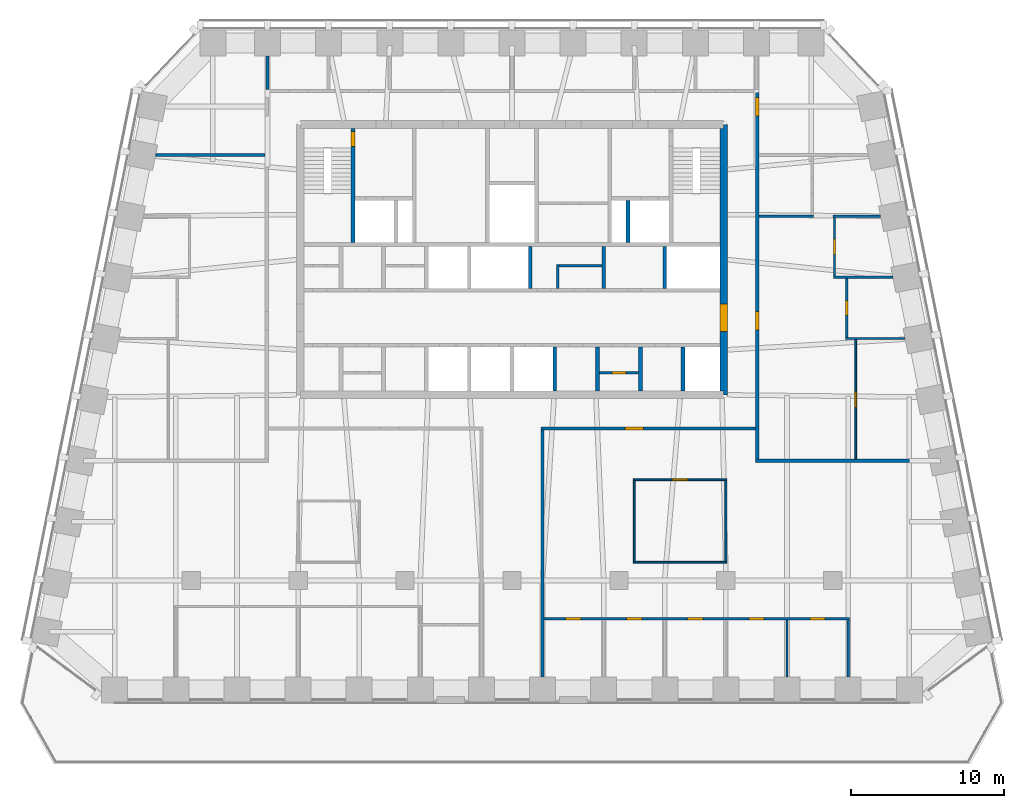
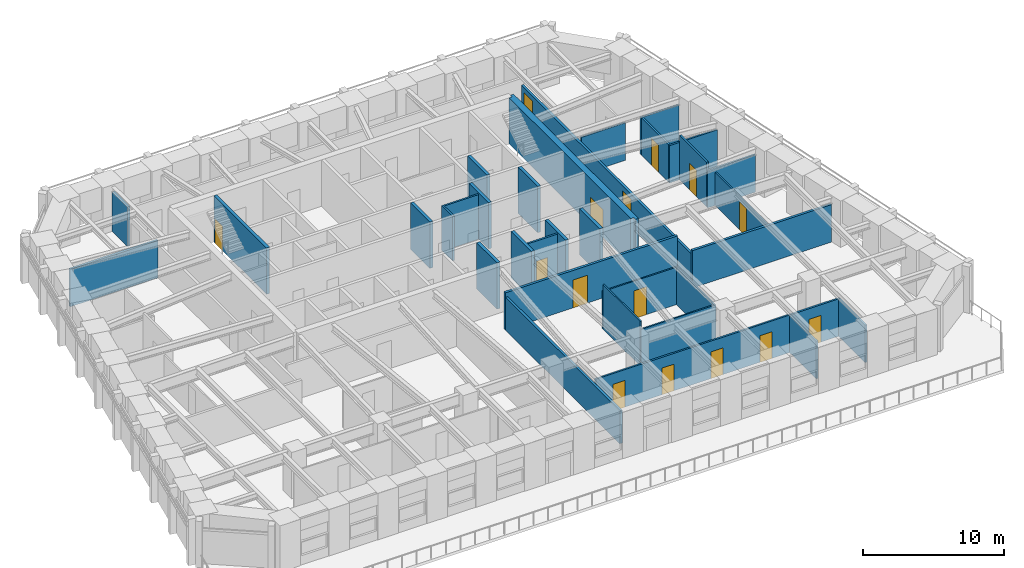
# One storey, part 7 of 10: 33 walls, 15 doors, 15 openings.
"""IFC4 building model written with IfcOpenShell, lengths in metres."""

from ifc_helpers import new_model, si_unit, direction, frame, frame_2d, origin, place, context, subcontext, project, spatial, polyline, rectangle, outline, extrude, material, layer, layer_set, type_object, element, fill, save


model = new_model("IFC4")

# Units and contexts
model_context = context("Model", 3, precision=1e-05, world=origin(), true_north=direction((0.0, 1.0)))
body_context = subcontext(model_context, "Body", "Model", "MODEL_VIEW")
ifc_project = project(units=[si_unit("LENGTHUNIT", "METRE"), si_unit("AREAUNIT", "SQUARE_METRE"), si_unit("VOLUMEUNIT", "CUBIC_METRE"), si_unit("PLANEANGLEUNIT", "RADIAN"), si_unit("MASSUNIT", "GRAM", prefix="KILO")], contexts=[model_context])

# Site, building, storey
site_placement = place(None, origin())
site = spatial("IfcSite", under=ifc_project, at=site_placement, CompositionType="ELEMENT")
building_placement = place(site_placement, origin())
building = spatial("IfcBuilding", under=site, at=building_placement, Name="Isbrekke Arena Tower", CompositionType="ELEMENT")
storey_placement = place(building_placement, frame((0.0, 0.0, 260.0)))
storey = spatial("IfcBuildingStorey", under=building, at=storey_placement, Name="L60", CompositionType="ELEMENT", Elevation=260.0)

# Wall, opening, door
ifc_material_1 = material(Name="Concrete B55 (C55/67)", Category="concrete")
ifc_layer_1 = layer(ifc_material_1, 0.5)
ifc_layer_set_1 = layer_set([ifc_layer_1], Name="CW5 CORE WALL 500")
wall_type_1 = type_object("IfcWallType", Name="CW5 CORE WALL 500", PredefinedType="SHEAR", material=ifc_layer_set_1)
wall_1_placement = place(storey_placement, frame((13.85009765625, 6.14990234375, 0.0), z_axis=(0.0, 0.0, 1.0), x_axis=(0.0, 1.0, 0.0)))
wall_1 = element("IfcWall", 1, at=wall_1_placement, inside=storey, type_object=wall_type_1, Name="Core wall E L60", PredefinedType="SHEAR", context=body_context, shape_type="SweptSolid", body=[
    extrude(outline(polyline([(0.0, -0.25), (17.7001953125, -0.25), (17.7001953125, 0.0), (17.4501953125, 0.0), (17.4501953125, 0.25), (0.25, 0.25), (0.25, 0.0), (0.0, 0.0), (0.0, -0.25)])), origin(), (0.0, 0.0, 1.0), 4.0),
])
opening_1_placement = place(wall_1_placement, frame((4.14990234375, 0.0, 0.0)))
opening_1 = element("IfcOpeningElement", 2, at=opening_1_placement, cuts=wall_1, Name="Opening D1", PredefinedType="OPENING", context=body_context, shape_type="SweptSolid", body=[
    extrude(rectangle(XDim=1.800048828125, YDim=2.39990234375, at=frame_2d((0.89990234375, 1.199951171875))), frame((0.0, 0.264892578125, 0.0), z_axis=(0.0, -1.0, 0.0), x_axis=(1.0, 0.0, 0.0)), (0.0, 0.0, 1.0), 0.52978515625),
])
ifc_material_2 = material(Name="Steel-framed glazed fire door", Category="steel")
door_type_1 = type_object("IfcDoorType", Name="D1 CORE LOBBY DOOR 1800 x 2400", OperationType="DOUBLE_DOOR_SINGLE_SWING", PredefinedType="DOOR", material=ifc_material_2)
door_1_placement = place(opening_1_placement, origin())
door_1 = element("IfcDoor", 3, at=door_1_placement, inside=storey, type_object=door_type_1, Name="D1 lift lobby door east L60", OperationType="DOUBLE_DOOR_SINGLE_SWING", OverallHeight=2.39990234375, OverallWidth=1.800048828125, PredefinedType="DOOR", context=body_context, shape_type="SweptSolid", body=[
    extrude(rectangle(XDim=1.800048828125, YDim=2.39990234375, at=frame_2d((0.89990234375, 1.199951171875))), frame((0.0, 0.249755859375, 0.0), z_axis=(0.0, -1.0, 0.0), x_axis=(1.0, 0.0, 0.0)), (0.0, 0.0, 1.0), 0.49951171875),
])
fill(opening_1, door_1)

# Walls
ifc_material_3 = material(Name="Concrete B45 (C45/55)", Category="concrete")
ifc_layer_2 = layer(ifc_material_3, 0.25)
ifc_layer_set_2 = layer_set([ifc_layer_2], Name="CW6 SHAFT WALL 250")
wall_type_2 = type_object("IfcWallType", Name="CW6 SHAFT WALL 250", PredefinedType="SHEAR", material=ifc_layer_set_2)
for number, where, z_axis, x_axis, name in (
    (4, (2.800048828125, 6.39990234375, 0.0), (0.0, 0.0, 1.0), (0.0, 1.0, 0.0), "Core wall SS06 L60"),
    (5, (5.60009765625, 6.39990234375, 0.0), (0.0, 0.0, 1.0), (0.0, 1.0, 0.0), "Core wall SS07 L60"),
    (6, (8.39990234375, 6.39990234375, 0.0), (0.0, 0.0, 1.0), (0.0, 1.0, 0.0), "Core wall SS08 L60"),
    (7, (11.199951171875, 6.39990234375, 0.0), (0.0, 0.0, 1.0), (0.0, 1.0, 0.0), "Core wall SS09 L60"),
):
    element("IfcWall", number, at=place(storey_placement, frame(where, z_axis=z_axis, x_axis=x_axis)), inside=storey, type_object=wall_type_2, Name=name, PredefinedType="SHEAR", context=body_context, shape_type="SweptSolid", body=[
        extrude(rectangle(XDim=2.875, YDim=0.25, at=frame_2d((1.4375, 0.0))), origin(), (0.0, 0.0, 1.0), 4.0),
    ])
for number, where, z_axis, x_axis, name in (
    (8, (1.199951171875, 13.125, 0.0), (0.0, 0.0, 1.0), (0.0, 1.0, 0.0), "Core wall SN05 L60"),
    (9, (6.0, 13.125, 0.0), (0.0, 0.0, 1.0), (0.0, 1.0, 0.0), "Core wall SN06 L60"),
    (10, (10.0, 13.125, 0.0), (0.0, 0.0, 1.0), (0.0, 1.0, 0.0), "Core wall SN07 L60"),
):
    element("IfcWall", number, at=place(storey_placement, frame(where, z_axis=z_axis, x_axis=x_axis)), inside=storey, type_object=wall_type_2, Name=name, PredefinedType="SHEAR", context=body_context, shape_type="SweptSolid", body=[
        extrude(rectangle(XDim=2.75, YDim=0.25, at=frame_2d((1.375, 0.0))), origin(), (0.0, 0.0, 1.0), 4.0),
    ])

# Wall, opening, door
wall_2_placement = place(storey_placement, frame((-10.39990234375, 16.125, 0.0), z_axis=(0.0, 0.0, 1.0), x_axis=(0.0, 1.0, 0.0)))
wall_2 = element("IfcWall", 11, at=wall_2_placement, inside=storey, type_object=wall_type_2, Name="Core wall NV01 L60", PredefinedType="SHEAR", context=body_context, shape_type="SweptSolid", body=[
    extrude(rectangle(XDim=7.47509765625, YDim=0.25, at=frame_2d((3.737548828125, 0.0))), origin(), (0.0, 0.0, 1.0), 4.0),
])
opening_2_placement = place(wall_2_placement, frame((6.27490234375, 0.0, 0.0)))
opening_2 = element("IfcOpeningElement", 12, at=opening_2_placement, cuts=wall_2, Name="Opening D2", PredefinedType="OPENING", context=body_context, shape_type="SweptSolid", body=[
    extrude(rectangle(XDim=1.0, YDim=2.10009765625, at=frame_2d((0.5, 1.050048828125))), frame((0.0, 0.139892578125, 0.0), z_axis=(0.0, -1.0, 0.0), x_axis=(1.0, 0.0, 0.0)), (0.0, 0.0, 1.0), 0.27978515625),
])
ifc_material_4 = material(Name="Steel fire door", Category="steel")
door_type_2 = type_object("IfcDoorType", Name="D2 STAIR DOOR 1000 x 2100", OperationType="SINGLE_SWING_LEFT", PredefinedType="DOOR", material=ifc_material_4)
door_2_placement = place(opening_2_placement, origin())
door_2 = element("IfcDoor", 13, at=door_2_placement, inside=storey, type_object=door_type_2, Name="D2 stair door ST1 L60", OperationType="SINGLE_SWING_LEFT", OverallHeight=2.10009765625, OverallWidth=1.0, PredefinedType="DOOR", context=body_context, shape_type="SweptSolid", body=[
    extrude(rectangle(XDim=1.0, YDim=2.10009765625, at=frame_2d((0.5, 1.050048828125))), frame((0.0, 0.124755859375, 0.0), z_axis=(0.0, -1.0, 0.0), x_axis=(1.0, 0.0, 0.0)), (0.0, 0.0, 1.0), 0.24951171875),
])
fill(opening_2, door_2)

# Wall
wall_3_placement = place(storey_placement, frame((7.60009765625, 16.125, 0.0), z_axis=(0.0, 0.0, 1.0), x_axis=(0.0, 1.0, 0.0)))
element("IfcWall", 14, at=wall_3_placement, inside=storey, type_object=wall_type_2, Name="Core wall NFS2 L60", PredefinedType="SHEAR", context=body_context, shape_type="SweptSolid", body=[
    extrude(rectangle(XDim=2.75, YDim=0.25, at=frame_2d((1.375, 0.0))), origin(), (0.0, 0.0, 1.0), 4.0),
])

# Wall, openings, doors
ifc_material_5 = material(Name="Gypsum board partition on steel studs", Category="steel")
ifc_layer_3 = layer(ifc_material_5, 0.14990234375)
ifc_layer_set_3 = layer_set([ifc_layer_3], Name="IW1 PARTITION 150")
wall_type_3 = type_object("IfcWallType", Name="IW1 PARTITION 150", PredefinedType="PARTITIONING", material=ifc_layer_set_3)
wall_4_placement = place(storey_placement, frame((2.10009765625, -8.5, 0.0), z_axis=(0.0, 0.0, 1.0), x_axis=(1.0, 0.0, 0.0)))
wall_4 = element("IfcWall", 15, at=wall_4_placement, inside=storey, type_object=wall_type_3, Name="IW1 partition 150 L60", PredefinedType="PARTITIONING", context=body_context, shape_type="SweptSolid", body=[
    extrude(rectangle(XDim=19.974853515625, YDim=0.14990234375, at=frame_2d((9.9873046875, 0.0))), origin(), (0.0, 0.0, 1.0), 3.22998046875),
])
opening_3_placement = place(wall_4_placement, frame((1.39990234375, 0.0, 0.0)))
opening_3 = element("IfcOpeningElement", 16, at=opening_3_placement, cuts=wall_4, Name="Opening D10", PredefinedType="OPENING", context=body_context, shape_type="SweptSolid", body=[
    extrude(rectangle(XDim=1.0, YDim=2.300048828125, at=frame_2d((0.5, 1.14990234375))), frame((0.0, 0.08984375, 0.0), z_axis=(0.0, -1.0, 0.0), x_axis=(1.0, 0.0, 0.0)), (0.0, 0.0, 1.0), 0.1796875),
])
opening_4_placement = place(wall_4_placement, frame((5.39990234375, 0.0, 0.0)))
opening_4 = element("IfcOpeningElement", 17, at=opening_4_placement, cuts=wall_4, Name="Opening D10", PredefinedType="OPENING", context=body_context, shape_type="SweptSolid", body=[
    extrude(rectangle(XDim=1.0, YDim=2.300048828125, at=frame_2d((0.5, 1.14990234375))), frame((0.0, 0.08984375, 0.0), z_axis=(0.0, -1.0, 0.0), x_axis=(1.0, 0.0, 0.0)), (0.0, 0.0, 1.0), 0.1796875),
])
opening_5_placement = place(wall_4_placement, frame((9.39990234375, 0.0, 0.0)))
opening_5 = element("IfcOpeningElement", 18, at=opening_5_placement, cuts=wall_4, Name="Opening D10", PredefinedType="OPENING", context=body_context, shape_type="SweptSolid", body=[
    extrude(rectangle(XDim=1.0, YDim=2.300048828125, at=frame_2d((0.5, 1.14990234375))), frame((0.0, 0.08984375, 0.0), z_axis=(0.0, -1.0, 0.0), x_axis=(1.0, 0.0, 0.0)), (0.0, 0.0, 1.0), 0.1796875),
])
opening_6_placement = place(wall_4_placement, frame((13.39990234375, 0.0, 0.0)))
opening_6 = element("IfcOpeningElement", 19, at=opening_6_placement, cuts=wall_4, Name="Opening D10", PredefinedType="OPENING", context=body_context, shape_type="SweptSolid", body=[
    extrude(rectangle(XDim=1.0, YDim=2.300048828125, at=frame_2d((0.5, 1.14990234375))), frame((0.0, 0.08984375, 0.0), z_axis=(0.0, -1.0, 0.0), x_axis=(1.0, 0.0, 0.0)), (0.0, 0.0, 1.0), 0.1796875),
])
opening_7_placement = place(wall_4_placement, frame((17.39990234375, 0.0, 0.0)))
opening_7 = element("IfcOpeningElement", 20, at=opening_7_placement, cuts=wall_4, Name="Opening D10", PredefinedType="OPENING", context=body_context, shape_type="SweptSolid", body=[
    extrude(rectangle(XDim=1.0, YDim=2.300048828125, at=frame_2d((0.5, 1.14990234375))), frame((0.0, 0.08984375, 0.0), z_axis=(0.0, -1.0, 0.0), x_axis=(1.0, 0.0, 0.0)), (0.0, 0.0, 1.0), 0.1796875),
])
ifc_material_6 = material(Name="Timber door", Category="wood")
door_type_3 = type_object("IfcDoorType", Name="D10 OFFICE DOOR 1000 x 2300", OperationType="SINGLE_SWING_LEFT", PredefinedType="DOOR", material=ifc_material_6)
door_3_placement = place(opening_3_placement, origin())
door_3 = element("IfcDoor", 21, at=door_3_placement, inside=storey, type_object=door_type_3, Name="D10 office door L60", OperationType="SINGLE_SWING_LEFT", OverallHeight=2.300048828125, OverallWidth=1.0, PredefinedType="DOOR", context=body_context, shape_type="SweptSolid", body=[
    extrude(rectangle(XDim=1.0, YDim=2.300048828125, at=frame_2d((0.5, 1.14990234375))), frame((0.0, 0.07470703125, 0.0), z_axis=(0.0, -1.0, 0.0), x_axis=(1.0, 0.0, 0.0)), (0.0, 0.0, 1.0), 0.1494140625),
])
fill(opening_3, door_3)
door_4_placement = place(opening_4_placement, origin())
door_4 = element("IfcDoor", 22, at=door_4_placement, inside=storey, type_object=door_type_3, Name="D10 office door L60", OperationType="SINGLE_SWING_LEFT", OverallHeight=2.300048828125, OverallWidth=1.0, PredefinedType="DOOR", context=body_context, shape_type="SweptSolid", body=[
    extrude(rectangle(XDim=1.0, YDim=2.300048828125, at=frame_2d((0.5, 1.14990234375))), frame((0.0, 0.07470703125, 0.0), z_axis=(0.0, -1.0, 0.0), x_axis=(1.0, 0.0, 0.0)), (0.0, 0.0, 1.0), 0.1494140625),
])
fill(opening_4, door_4)
door_5_placement = place(opening_5_placement, origin())
door_5 = element("IfcDoor", 23, at=door_5_placement, inside=storey, type_object=door_type_3, Name="D10 office door L60", OperationType="SINGLE_SWING_LEFT", OverallHeight=2.300048828125, OverallWidth=1.0, PredefinedType="DOOR", context=body_context, shape_type="SweptSolid", body=[
    extrude(rectangle(XDim=1.0, YDim=2.300048828125, at=frame_2d((0.5, 1.14990234375))), frame((0.0, 0.07470703125, 0.0), z_axis=(0.0, -1.0, 0.0), x_axis=(1.0, 0.0, 0.0)), (0.0, 0.0, 1.0), 0.1494140625),
])
fill(opening_5, door_5)
door_6_placement = place(opening_6_placement, origin())
door_6 = element("IfcDoor", 24, at=door_6_placement, inside=storey, type_object=door_type_3, Name="D10 office door L60", OperationType="SINGLE_SWING_LEFT", OverallHeight=2.300048828125, OverallWidth=1.0, PredefinedType="DOOR", context=body_context, shape_type="SweptSolid", body=[
    extrude(rectangle(XDim=1.0, YDim=2.300048828125, at=frame_2d((0.5, 1.14990234375))), frame((0.0, 0.07470703125, 0.0), z_axis=(0.0, -1.0, 0.0), x_axis=(1.0, 0.0, 0.0)), (0.0, 0.0, 1.0), 0.1494140625),
])
fill(opening_6, door_6)
door_7_placement = place(opening_7_placement, origin())
door_7 = element("IfcDoor", 25, at=door_7_placement, inside=storey, type_object=door_type_3, Name="D10 office door L60", OperationType="SINGLE_SWING_LEFT", OverallHeight=2.300048828125, OverallWidth=1.0, PredefinedType="DOOR", context=body_context, shape_type="SweptSolid", body=[
    extrude(rectangle(XDim=1.0, YDim=2.300048828125, at=frame_2d((0.5, 1.14990234375))), frame((0.0, 0.07470703125, 0.0), z_axis=(0.0, -1.0, 0.0), x_axis=(1.0, 0.0, 0.0)), (0.0, 0.0, 1.0), 0.1494140625),
])
fill(opening_7, door_7)

# Walls
for number, where, z_axis, x_axis, name in (
    (26, (21.824951171875, 9.840087890625, 0.0), (0.0, 0.0, 1.0), (1.0, 0.0, 0.0), "IW1 partition 150 L60"),
    (27, (21.02490234375, 13.840087890625, 0.0), (0.0, 0.0, 1.0), (1.0, 0.0, 0.0), "IW1 partition 150 L60"),
):
    element("IfcWall", number, at=place(storey_placement, frame(where, z_axis=z_axis, x_axis=x_axis)), inside=storey, type_object=wall_type_3, Name=name, PredefinedType="PARTITIONING", context=body_context, shape_type="SweptSolid", body=[
        extrude(rectangle(XDim=3.89892578125, YDim=0.14990234375, at=frame_2d((1.949462890625, 0.0))), origin(), (0.0, 0.0, 1.0), 3.22998046875),
    ])
wall_5_placement = place(storey_placement, frame((16.14990234375, 17.840087890625, 0.0), z_axis=(0.0, 0.0, 1.0), x_axis=(1.0, 0.0, 0.0)))
element("IfcWall", 28, at=wall_5_placement, inside=storey, type_object=wall_type_3, Name="IW1 partition 150 L60", PredefinedType="PARTITIONING", context=body_context, shape_type="SweptSolid", body=[
    extrude(rectangle(XDim=3.5751953125, YDim=0.14990234375, at=frame_2d((1.78759765625, 0.0))), origin(), (0.0, 0.0, 1.0), 3.22998046875),
])
wall_6_placement = place(storey_placement, frame((21.02490234375, 17.840087890625, 0.0), z_axis=(0.0, 0.0, 1.0), x_axis=(1.0, 0.0, 0.0)))
element("IfcWall", 29, at=wall_6_placement, inside=storey, type_object=wall_type_3, Name="IW1 partition 150 L60", PredefinedType="PARTITIONING", context=body_context, shape_type="SweptSolid", body=[
    extrude(rectangle(XDim=3.098876953125, YDim=0.14990234375, at=frame_2d((1.54931640625, 0.0))), origin(), (0.0, 0.0, 1.0), 3.22998046875),
])
wall_7_placement = place(storey_placement, frame((18.0, -12.324951171875, 0.0), z_axis=(0.0, 0.0, 1.0), x_axis=(0.0, 1.0, 0.0)))
element("IfcWall", 30, at=wall_7_placement, inside=storey, type_object=wall_type_3, Name="IW1 partition 150 L60", PredefinedType="PARTITIONING", context=body_context, shape_type="SweptSolid", body=[
    extrude(rectangle(XDim=3.75, YDim=0.14990234375, at=frame_2d((1.875, 0.0))), origin(), (0.0, 0.0, 1.0), 3.22998046875),
])

# Wall, opening, door
wall_8_placement = place(storey_placement, frame((21.10009765625, 13.9150390625, 0.0), z_axis=(0.0, 0.0, 1.0), x_axis=(0.0, 1.0, 0.0)))
wall_8 = element("IfcWall", 31, at=wall_8_placement, inside=storey, type_object=wall_type_3, Name="IW1 partition 150 L60", PredefinedType="PARTITIONING", context=body_context, shape_type="SweptSolid", body=[
    extrude(rectangle(XDim=3.849853515625, YDim=0.14990234375, at=frame_2d((1.9248046875, 0.0))), origin(), (0.0, 0.0, 1.0), 3.22998046875),
])
opening_8_placement = place(wall_8_placement, frame((1.425048828125, 0.0, 0.0)))
opening_8 = element("IfcOpeningElement", 32, at=opening_8_placement, cuts=wall_8, Name="Opening D10", PredefinedType="OPENING", context=body_context, shape_type="SweptSolid", body=[
    extrude(rectangle(XDim=1.0, YDim=2.300048828125, at=frame_2d((0.5, 1.14990234375))), frame((0.0, 0.08984375, 0.0), z_axis=(0.0, -1.0, 0.0), x_axis=(1.0, 0.0, 0.0)), (0.0, 0.0, 1.0), 0.1796875),
])
door_8_placement = place(opening_8_placement, origin())
door_8 = element("IfcDoor", 33, at=door_8_placement, inside=storey, type_object=door_type_3, Name="D10 office door L60", OperationType="SINGLE_SWING_LEFT", OverallHeight=2.300048828125, OverallWidth=1.0, PredefinedType="DOOR", context=body_context, shape_type="SweptSolid", body=[
    extrude(rectangle(XDim=1.0, YDim=2.300048828125, at=frame_2d((0.5, 1.14990234375))), frame((0.0, 0.07470703125, 0.0), z_axis=(0.0, -1.0, 0.0), x_axis=(1.0, 0.0, 0.0)), (0.0, 0.0, 1.0), 0.1494140625),
])
fill(opening_8, door_8)

wall_9_placement = place(storey_placement, frame((21.89990234375, 9.9150390625, 0.0), z_axis=(0.0, 0.0, 1.0), x_axis=(0.0, 1.0, 0.0)))
wall_9 = element("IfcWall", 34, at=wall_9_placement, inside=storey, type_object=wall_type_3, Name="IW1 partition 150 L60", PredefinedType="PARTITIONING", context=body_context, shape_type="SweptSolid", body=[
    extrude(rectangle(XDim=3.849853515625, YDim=0.14990234375, at=frame_2d((1.9248046875, 0.0))), origin(), (0.0, 0.0, 1.0), 3.85009765625),
])
opening_9_placement = place(wall_9_placement, frame((1.425048828125, 0.0, 0.0)))
opening_9 = element("IfcOpeningElement", 35, at=opening_9_placement, cuts=wall_9, Name="Opening D10", PredefinedType="OPENING", context=body_context, shape_type="SweptSolid", body=[
    extrude(rectangle(XDim=1.0, YDim=2.300048828125, at=frame_2d((0.5, 1.14990234375))), frame((0.0, 0.08984375, 0.0), z_axis=(0.0, -1.0, 0.0), x_axis=(1.0, 0.0, 0.0)), (0.0, 0.0, 1.0), 0.1796875),
])
door_9_placement = place(opening_9_placement, origin())
door_9 = element("IfcDoor", 36, at=door_9_placement, inside=storey, type_object=door_type_3, Name="D10 office door L60", OperationType="SINGLE_SWING_LEFT", OverallHeight=2.300048828125, OverallWidth=1.0, PredefinedType="DOOR", context=body_context, shape_type="SweptSolid", body=[
    extrude(rectangle(XDim=1.0, YDim=2.300048828125, at=frame_2d((0.5, 1.14990234375))), frame((0.0, 0.07470703125, 0.0), z_axis=(0.0, -1.0, 0.0), x_axis=(1.0, 0.0, 0.0)), (0.0, 0.0, 1.0), 0.1494140625),
])
fill(opening_9, door_9)

# Walls
wall_10_placement = place(storey_placement, frame((22.0, -12.324951171875, 0.0), z_axis=(0.0, 0.0, 1.0), x_axis=(0.0, 1.0, 0.0)))
element("IfcWall", 37, at=wall_10_placement, inside=storey, type_object=wall_type_3, Name="IW1 partition 150 L60", PredefinedType="PARTITIONING", context=body_context, shape_type="SweptSolid", body=[
    extrude(rectangle(XDim=3.75, YDim=0.14990234375, at=frame_2d((1.875, 0.0))), origin(), (0.0, 0.0, 1.0), 3.22998046875),
])
ifc_material_7 = material(Name="Frameless glazed partition, laminated acoustic glass", Category="glass")
ifc_layer_4 = layer(ifc_material_7, 0.1201171875)
ifc_layer_set_4 = layer_set([ifc_layer_4], Name="IW2 GLAZED PARTITION 120")
wall_type_4 = type_object("IfcWallType", Name="IW2 GLAZED PARTITION 120", PredefinedType="PARTITIONING", material=ifc_layer_set_4)
wall_11_placement = place(storey_placement, frame((7.93994140625, -4.800048828125, 0.0), z_axis=(0.0, 0.0, 1.0), x_axis=(1.0, 0.0, 0.0)))
element("IfcWall", 38, at=wall_11_placement, inside=storey, type_object=wall_type_4, Name="IW2 glazed partition 120 L60", PredefinedType="PARTITIONING", context=body_context, shape_type="SweptSolid", body=[
    extrude(rectangle(XDim=6.1201171875, YDim=0.1201171875, at=frame_2d((3.06005859375, 0.0))), origin(), (0.0, 0.0, 1.0), 3.22998046875),
])

# Wall, opening, door
wall_12_placement = place(storey_placement, frame((7.93994140625, 0.60009765625, 0.0), z_axis=(0.0, 0.0, 1.0), x_axis=(1.0, 0.0, 0.0)))
wall_12 = element("IfcWall", 39, at=wall_12_placement, inside=storey, type_object=wall_type_4, Name="IW2 glazed partition 120 L60", PredefinedType="PARTITIONING", context=body_context, shape_type="SweptSolid", body=[
    extrude(rectangle(XDim=6.1201171875, YDim=0.1201171875, at=frame_2d((3.06005859375, 0.0))), origin(), (0.0, 0.0, 1.0), 3.22998046875),
])
opening_10_placement = place(wall_12_placement, frame((2.56005859375, 0.0, 0.0)))
opening_10 = element("IfcOpeningElement", 40, at=opening_10_placement, cuts=wall_12, Name="Opening D11", PredefinedType="OPENING", context=body_context, shape_type="SweptSolid", body=[
    extrude(rectangle(XDim=1.0, YDim=2.39990234375, at=frame_2d((0.5, 1.199951171875))), frame((0.0, 0.074951171875, 0.0), z_axis=(0.0, -1.0, 0.0), x_axis=(1.0, 0.0, 0.0)), (0.0, 0.0, 1.0), 0.14990234375),
])
ifc_material_8 = material(Name="Frameless glazed door", Category="glass")
door_type_4 = type_object("IfcDoorType", Name="D11 GLAZED MEETING ROOM DOOR 1000 x 2400", OperationType="SINGLE_SWING_RIGHT", PredefinedType="DOOR", material=ifc_material_8)
door_10_placement = place(opening_10_placement, origin())
door_10 = element("IfcDoor", 41, at=door_10_placement, inside=storey, type_object=door_type_4, Name="D11 meeting room door L60", OperationType="SINGLE_SWING_RIGHT", OverallHeight=2.39990234375, OverallWidth=1.0, PredefinedType="DOOR", context=body_context, shape_type="SweptSolid", body=[
    extrude(rectangle(XDim=1.0, YDim=2.39990234375, at=frame_2d((0.5, 1.199951171875))), frame((0.0, 0.059814453125, 0.0), z_axis=(0.0, -1.0, 0.0), x_axis=(1.0, 0.0, 0.0)), (0.0, 0.0, 1.0), 0.11962890625),
])
fill(opening_10, door_10)

# Walls
wall_13_placement = place(storey_placement, frame((8.0, -4.739990234375, 0.0), z_axis=(0.0, 0.0, 1.0), x_axis=(0.0, 1.0, 0.0)))
element("IfcWall", 42, at=wall_13_placement, inside=storey, type_object=wall_type_4, Name="IW2 glazed partition 120 L60", PredefinedType="PARTITIONING", context=body_context, shape_type="SweptSolid", body=[
    extrude(rectangle(XDim=5.280029296875, YDim=0.1201171875, at=frame_2d((2.64013671875, 0.0))), origin(), (0.0, 0.0, 1.0), 3.85009765625),
])
wall_14_placement = place(storey_placement, frame((14.0, -4.739990234375, 0.0), z_axis=(0.0, 0.0, 1.0), x_axis=(0.0, 1.0, 0.0)))
element("IfcWall", 43, at=wall_14_placement, inside=storey, type_object=wall_type_4, Name="IW2 glazed partition 120 L60", PredefinedType="PARTITIONING", context=body_context, shape_type="SweptSolid", body=[
    extrude(rectangle(XDim=5.280029296875, YDim=0.1201171875, at=frame_2d((2.64013671875, 0.0))), origin(), (0.0, 0.0, 1.0), 3.22998046875),
])

# Wall, opening, door
wall_15_placement = place(storey_placement, frame((22.5, 1.93994140625, 0.0), z_axis=(0.0, 0.0, 1.0), x_axis=(0.0, 1.0, 0.0)))
wall_15 = element("IfcWall", 44, at=wall_15_placement, inside=storey, type_object=wall_type_4, Name="IW2 glazed partition 120 L60", PredefinedType="PARTITIONING", context=body_context, shape_type="SweptSolid", body=[
    extrude(rectangle(XDim=7.824951171875, YDim=0.1201171875, at=frame_2d((3.91259765625, 0.0))), origin(), (0.0, 0.0, 1.0), 2.842041015625),
])
opening_11_placement = place(wall_15_placement, frame((3.39990234375, 0.0, 0.0)))
opening_11 = element("IfcOpeningElement", 45, at=opening_11_placement, cuts=wall_15, Name="Opening D11", PredefinedType="OPENING", context=body_context, shape_type="SweptSolid", body=[
    extrude(rectangle(XDim=1.0, YDim=2.39990234375, at=frame_2d((0.5, 1.199951171875))), frame((0.0, 0.074951171875, 0.0), z_axis=(0.0, -1.0, 0.0), x_axis=(1.0, 0.0, 0.0)), (0.0, 0.0, 1.0), 0.14990234375),
])
door_11_placement = place(opening_11_placement, origin())
door_11 = element("IfcDoor", 46, at=door_11_placement, inside=storey, type_object=door_type_4, Name="D11 project room door L60", OperationType="SINGLE_SWING_RIGHT", OverallHeight=2.39990234375, OverallWidth=1.0, PredefinedType="DOOR", context=body_context, shape_type="SweptSolid", body=[
    extrude(rectangle(XDim=1.0, YDim=2.39990234375, at=frame_2d((0.5, 1.199951171875))), frame((0.0, 0.059814453125, 0.0), z_axis=(0.0, -1.0, 0.0), x_axis=(1.0, 0.0, 0.0)), (0.0, 0.0, 1.0), 0.11962890625),
])
fill(opening_11, door_11)

# Wall
ifc_material_9 = material(Name="Gypsum board fire-cell wall on steel studs, two layers each side", Category="steel")
ifc_layer_5 = layer(ifc_material_9, 0.199951171875)
ifc_layer_set_5 = layer_set([ifc_layer_5], Name="IW3 FIRE-CELL WALL 200")
wall_type_5 = type_object("IfcWallType", Name="IW3 FIRE-CELL WALL 200", PredefinedType="PARTITIONING", material=ifc_layer_set_5)
wall_16_placement = place(storey_placement, frame((15.949951171875, 1.840087890625, 0.0), z_axis=(0.0, 0.0, 1.0), x_axis=(1.0, 0.0, 0.0)))
element("IfcWall", 47, at=wall_16_placement, inside=storey, type_object=wall_type_5, Name="IW3 fire-cell wall 200 L60", PredefinedType="PARTITIONING", context=body_context, shape_type="SweptSolid", body=[
    extrude(rectangle(XDim=11.373779296875, YDim=0.199951171875, at=frame_2d((5.68701171875, 0.0))), origin(), (0.0, 0.0, 1.0), 3.22998046875),
])

# Wall, opening, door
wall_17_placement = place(storey_placement, frame((1.89990234375, 3.949951171875, 0.0), z_axis=(0.0, 0.0, 1.0), x_axis=(1.0, 0.0, 0.0)))
wall_17 = element("IfcWall", 48, at=wall_17_placement, inside=storey, type_object=wall_type_5, Name="IW3 fire-cell wall 200 L60", PredefinedType="PARTITIONING", context=body_context, shape_type="SweptSolid", body=[
    extrude(rectangle(XDim=14.050048828125, YDim=0.199951171875, at=frame_2d((7.02490234375, 0.0))), origin(), (0.0, 0.0, 1.0), 3.22998046875),
])
opening_12_placement = place(wall_17_placement, frame((5.5, 0.0, 0.0)))
opening_12 = element("IfcOpeningElement", 49, at=opening_12_placement, cuts=wall_17, Name="Opening D12", PredefinedType="OPENING", context=body_context, shape_type="SweptSolid", body=[
    extrude(rectangle(XDim=1.199951171875, YDim=2.39990234375, at=frame_2d((0.60009765625, 1.199951171875))), frame((0.0, 0.11474609375, 0.0), z_axis=(0.0, -1.0, 0.0), x_axis=(1.0, 0.0, 0.0)), (0.0, 0.0, 1.0), 0.229736328125),
])
ifc_material_10 = material(Name="Timber fire door with vision panel", Category="wood")
door_type_5 = type_object("IfcDoorType", Name="D12 SUITE ENTRANCE DOOR 1200 x 2400", OperationType="SINGLE_SWING_LEFT", PredefinedType="DOOR", material=ifc_material_10)
door_12_placement = place(opening_12_placement, origin())
door_12 = element("IfcDoor", 50, at=door_12_placement, inside=storey, type_object=door_type_5, Name="D12 suite entrance SE door L60", OperationType="SINGLE_SWING_LEFT", OverallHeight=2.39990234375, OverallWidth=1.199951171875, PredefinedType="DOOR", context=body_context, shape_type="SweptSolid", body=[
    extrude(rectangle(XDim=1.199951171875, YDim=2.39990234375, at=frame_2d((0.60009765625, 1.199951171875))), frame((0.0, 0.099609375, 0.0), z_axis=(0.0, -1.0, 0.0), x_axis=(1.0, 0.0, 0.0)), (0.0, 0.0, 1.0), 0.199462890625),
])
fill(opening_12, door_12)

# Walls
wall_18_placement = place(storey_placement, frame((-23.32373046875, 21.840087890625, 0.0), z_axis=(0.0, 0.0, 1.0), x_axis=(1.0, 0.0, 0.0)))
element("IfcWall", 51, at=wall_18_placement, inside=storey, type_object=wall_type_5, Name="IW3 fire-cell wall 200 L60", PredefinedType="PARTITIONING", context=body_context, shape_type="SweptSolid", body=[
    extrude(rectangle(XDim=7.173828125, YDim=0.199951171875, at=frame_2d((3.5869140625, 0.0))), origin(), (0.0, 0.0, 1.0), 3.22998046875),
])
wall_19_placement = place(storey_placement, frame((-16.0, 26.14990234375, 0.0), z_axis=(0.0, 0.0, 1.0), x_axis=(0.0, 1.0, 0.0)))
element("IfcWall", 52, at=wall_19_placement, inside=storey, type_object=wall_type_5, Name="IW3 fire-cell wall 200 L60", PredefinedType="PARTITIONING", context=body_context, shape_type="SweptSolid", body=[
    extrude(rectangle(XDim=2.175048828125, YDim=0.199951171875, at=frame_2d((1.08740234375, 0.0))), origin(), (0.0, 0.0, 1.0), 3.41796875),
])
wall_20_placement = place(storey_placement, frame((2.0, -12.324951171875, 0.0), z_axis=(0.0, 0.0, 1.0), x_axis=(0.0, 1.0, 0.0)))
element("IfcWall", 53, at=wall_20_placement, inside=storey, type_object=wall_type_5, Name="IW3 fire-cell wall 200 L60", PredefinedType="PARTITIONING", context=body_context, shape_type="SweptSolid", body=[
    extrude(rectangle(XDim=16.175048828125, YDim=0.199951171875, at=frame_2d((8.08740234375, 0.0))), origin(), (0.0, 0.0, 1.0), 2.842041015625),
])

# Wall, openings, doors
wall_21_placement = place(storey_placement, frame((16.050048828125, 1.93994140625, 0.0), z_axis=(0.0, 0.0, 1.0), x_axis=(0.0, 1.0, 0.0)))
wall_21 = element("IfcWall", 54, at=wall_21_placement, inside=storey, type_object=wall_type_5, Name="IW3 fire-cell wall 200 L60", PredefinedType="PARTITIONING", context=body_context, shape_type="SweptSolid", body=[
    extrude(rectangle(XDim=24.010009765625, YDim=0.199951171875, at=frame_2d((12.0048828125, 0.0))), origin(), (0.0, 0.0, 1.0), 2.842041015625),
])
opening_13_placement = place(wall_21_placement, frame((8.4599609375, 0.0, 0.0)))
opening_13 = element("IfcOpeningElement", 55, at=opening_13_placement, cuts=wall_21, Name="Opening D12", PredefinedType="OPENING", context=body_context, shape_type="SweptSolid", body=[
    extrude(rectangle(XDim=1.199951171875, YDim=2.39990234375, at=frame_2d((0.60009765625, 1.199951171875))), frame((0.0, 0.11474609375, 0.0), z_axis=(0.0, -1.0, 0.0), x_axis=(1.0, 0.0, 0.0)), (0.0, 0.0, 1.0), 0.229736328125),
])
opening_14_placement = place(wall_21_placement, frame((22.4599609375, 0.0, 0.0)))
opening_14 = element("IfcOpeningElement", 56, at=opening_14_placement, cuts=wall_21, Name="Opening D12", PredefinedType="OPENING", context=body_context, shape_type="SweptSolid", body=[
    extrude(rectangle(XDim=1.199951171875, YDim=2.39990234375, at=frame_2d((0.60009765625, 1.199951171875))), frame((0.0, 0.11474609375, 0.0), z_axis=(0.0, -1.0, 0.0), x_axis=(1.0, 0.0, 0.0)), (0.0, 0.0, 1.0), 0.229736328125),
])
door_13_placement = place(opening_13_placement, origin())
door_13 = element("IfcDoor", 57, at=door_13_placement, inside=storey, type_object=door_type_5, Name="D12 suite entrance E door L60", OperationType="SINGLE_SWING_LEFT", OverallHeight=2.39990234375, OverallWidth=1.199951171875, PredefinedType="DOOR", context=body_context, shape_type="SweptSolid", body=[
    extrude(rectangle(XDim=1.199951171875, YDim=2.39990234375, at=frame_2d((0.60009765625, 1.199951171875))), frame((0.0, 0.099609375, 0.0), z_axis=(0.0, -1.0, 0.0), x_axis=(1.0, 0.0, 0.0)), (0.0, 0.0, 1.0), 0.199462890625),
])
fill(opening_13, door_13)
door_14_placement = place(opening_14_placement, origin())
door_14 = element("IfcDoor", 58, at=door_14_placement, inside=storey, type_object=door_type_5, Name="D12 suite entrance NCE door L60", OperationType="SINGLE_SWING_LEFT", OverallHeight=2.39990234375, OverallWidth=1.199951171875, PredefinedType="DOOR", context=body_context, shape_type="SweptSolid", body=[
    extrude(rectangle(XDim=1.199951171875, YDim=2.39990234375, at=frame_2d((0.60009765625, 1.199951171875))), frame((0.0, 0.099609375, 0.0), z_axis=(0.0, -1.0, 0.0), x_axis=(1.0, 0.0, 0.0)), (0.0, 0.0, 1.0), 0.199462890625),
])
fill(opening_14, door_14)

# Walls
ifc_material_11 = material(Name="Gypsum board fire-rated partition on steel studs, two layers each side", Category="steel")
ifc_layer_6 = layer(ifc_material_11, 0.14990234375)
ifc_layer_set_6 = layer_set([ifc_layer_6], Name="IW5 FIRE-RATED PARTITION 150")
wall_type_6 = type_object("IfcWallType", Name="IW5 FIRE-RATED PARTITION 150", PredefinedType="PARTITIONING", material=ifc_layer_set_6)
wall_22_placement = place(storey_placement, frame((3.0, 13.125, 0.0), z_axis=(0.0, 0.0, 1.0), x_axis=(0.0, 1.0, 0.0)))
element("IfcWall", 59, at=wall_22_placement, inside=storey, type_object=wall_type_6, Name="IW5 fire-rated partition L60 core service rooms 1", PredefinedType="PARTITIONING", context=body_context, shape_type="SweptSolid", body=[
    extrude(rectangle(XDim=1.550048828125, YDim=0.14990234375, at=frame_2d((0.77490234375, 0.0))), origin(), (0.0, 0.0, 1.0), 3.85009765625),
])
wall_23_placement = place(storey_placement, frame((3.074951171875, 14.60009765625, 0.0), z_axis=(0.0, 0.0, 1.0), x_axis=(1.0, 0.0, 0.0)))
element("IfcWall", 60, at=wall_23_placement, inside=storey, type_object=wall_type_6, Name="IW5 fire-rated partition L60 core service rooms 2", PredefinedType="PARTITIONING", context=body_context, shape_type="SweptSolid", body=[
    extrude(rectangle(XDim=2.800048828125, YDim=0.14990234375, at=frame_2d((1.39990234375, 0.0))), origin(), (0.0, 0.0, 1.0), 3.85009765625),
])

# Wall, opening, door
wall_24_placement = place(storey_placement, frame((5.72509765625, 7.60009765625, 0.0), z_axis=(0.0, 0.0, 1.0), x_axis=(1.0, 0.0, 0.0)))
wall_24 = element("IfcWall", 61, at=wall_24_placement, inside=storey, type_object=wall_type_6, Name="IW5 fire-rated partition L60 core service rooms 6", PredefinedType="PARTITIONING", context=body_context, shape_type="SweptSolid", body=[
    extrude(rectangle(XDim=2.5498046875, YDim=0.14990234375, at=frame_2d((1.27490234375, 0.0))), origin(), (0.0, 0.0, 1.0), 3.85009765625),
])
opening_15_placement = place(wall_24_placement, frame((0.824951171875, 0.0, 0.0)))
opening_15 = element("IfcOpeningElement", 62, at=opening_15_placement, cuts=wall_24, Name="Opening D5", PredefinedType="OPENING", context=body_context, shape_type="SweptSolid", body=[
    extrude(rectangle(XDim=0.89990234375, YDim=2.10009765625, at=frame_2d((0.449951171875, 1.050048828125))), frame((0.0, 0.08984375, 0.0), z_axis=(0.0, -1.0, 0.0), x_axis=(1.0, 0.0, 0.0)), (0.0, 0.0, 1.0), 0.1796875),
])
ifc_material_12 = material(Name="Steel fire door", Category="steel")
door_type_6 = type_object("IfcDoorType", Name="D5 SERVICE DOOR 900 x 2100", OperationType="SINGLE_SWING_LEFT", PredefinedType="DOOR", material=ifc_material_12)
door_15_placement = place(opening_15_placement, origin())
door_15 = element("IfcDoor", 63, at=door_15_placement, inside=storey, type_object=door_type_6, Name="D5 archive door L60", OperationType="SINGLE_SWING_LEFT", OverallHeight=2.10009765625, OverallWidth=0.89990234375, PredefinedType="DOOR", context=body_context, shape_type="SweptSolid", body=[
    extrude(rectangle(XDim=0.89990234375, YDim=2.10009765625, at=frame_2d((0.449951171875, 1.050048828125))), frame((0.0, 0.07470703125, 0.0), z_axis=(0.0, -1.0, 0.0), x_axis=(1.0, 0.0, 0.0)), (0.0, 0.0, 1.0), 0.1494140625),
])
fill(opening_15, door_15)

save(model, "model.ifc")
